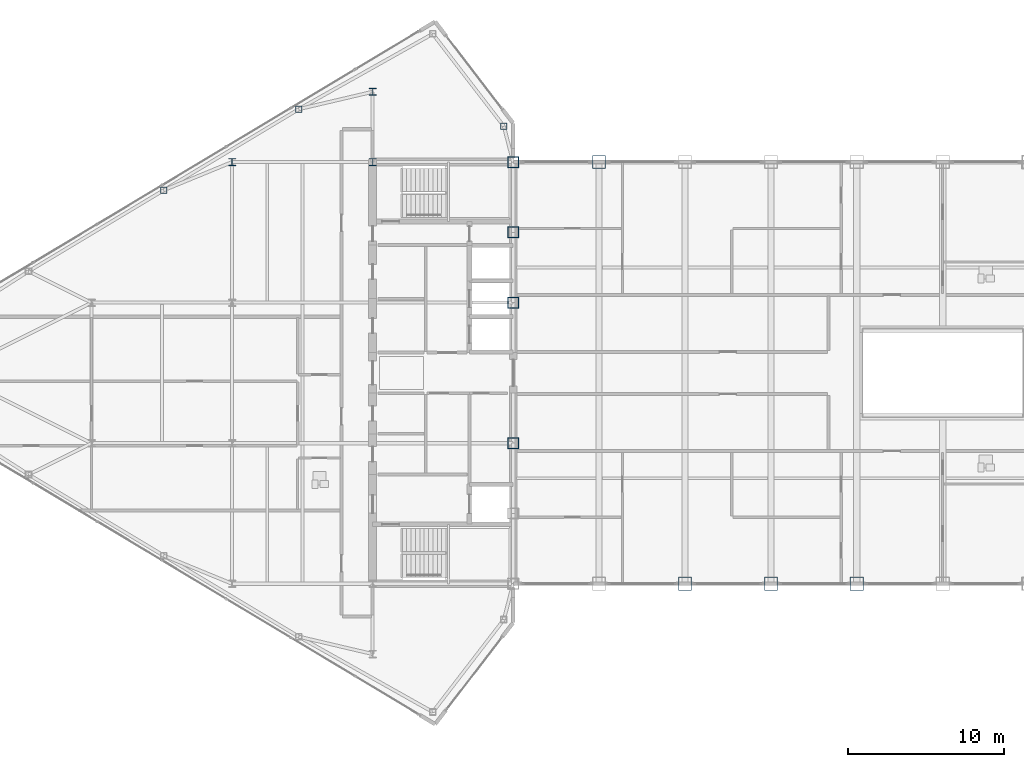
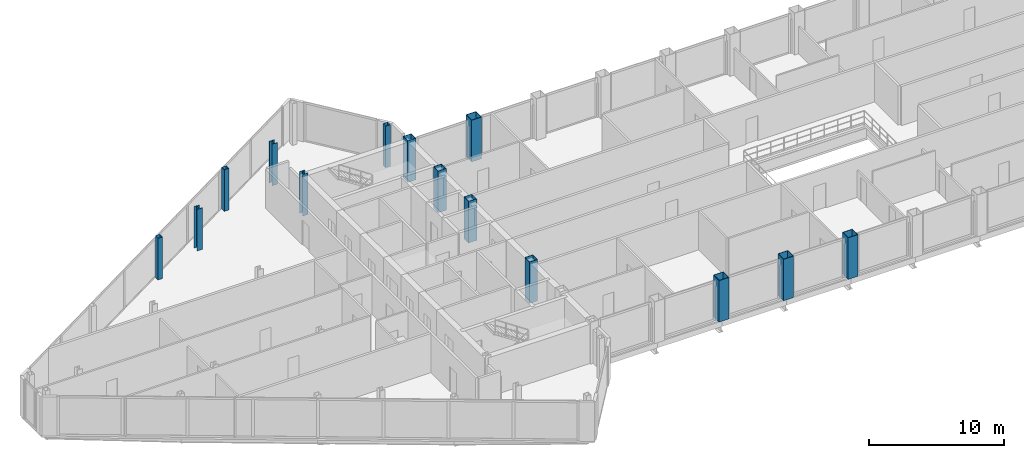
# One storey, part 2 of 29: 14 columns.
"""IFC4 building model written with IfcOpenShell, lengths in metres."""

from ifc_helpers import new_model, si_unit, direction, frame, origin, origin_2d, place, context, subcontext, project, spatial, hollow_rectangle, i_section, extrude, source, transform, mapped, material, material_profile, profile_set, type_object, type_shapes, element, save


model = new_model("IFC4")

# Units and contexts
model_context = context("Model", 3, precision=1e-05, world=origin(), true_north=direction((0.0, 1.0)))
body_context = subcontext(model_context, "Body", "Model", "MODEL_VIEW")
ifc_project = project(units=[si_unit("LENGTHUNIT", "METRE"), si_unit("AREAUNIT", "SQUARE_METRE"), si_unit("VOLUMEUNIT", "CUBIC_METRE"), si_unit("PLANEANGLEUNIT", "RADIAN"), si_unit("MASSUNIT", "GRAM", prefix="KILO")], contexts=[model_context])

# Site, building, storey
site_placement = place(None, origin())
site = spatial("IfcSite", under=ifc_project, at=site_placement, CompositionType="ELEMENT")
building_placement = place(site_placement, origin())
building = spatial("IfcBuilding", under=site, at=building_placement, Name="Seokmaru Belvedere", CompositionType="ELEMENT")
storey_placement = place(building_placement, frame((0.0, 0.0, 243.14990234375)))
storey = spatial("IfcBuildingStorey", under=building, at=storey_placement, Name="L64", CompositionType="ELEMENT", Elevation=243.14990234375)

# Columns
ifc_material_1 = material(Name="Steel SM355 (355 MPa)", Category="steel")
ifc_material_profile_1 = material_profile(ifc_material_1, hollow_rectangle(XDim=0.699951171875, YDim=0.699951171875, WallThickness=0.030029296875, at=origin_2d()), Name="BOX-700x700x30")
ifc_profile_set_1 = profile_set([ifc_material_profile_1], Name="Steel SM355 (355 MPa)")
column_type_1 = type_object("IfcColumnType", Name="Upper Spine Column BOX-700", PredefinedType="COLUMN", material=ifc_profile_set_1)
shared_shape_1 = source(origin(), body_context, "Body", "SweptSolid", [
    extrude(hollow_rectangle(XDim=0.699951171875, YDim=0.699951171875, WallThickness=0.030029296875, at=origin_2d()), origin(), (0.0, 0.0, 1.0), 3.75),
])
type_shapes(column_type_1, [shared_shape_1])
for number, where, z_axis, x_axis, name in (
    (1, (-27.5, -4.5, 0.0), (0.0, 0.0, 1.0), (1.0, 0.0, 0.0), "L64 Column WS3"),
    (2, (-27.5, 4.5, 0.0), (0.0, 0.0, 1.0), (1.0, 0.0, 0.0), "L64 Column WS4"),
    (3, (-27.5, 9.0, 0.0), (0.0, 0.0, 1.0), (1.0, 0.0, 0.0), "L64 Column WS5"),
    (4, (-27.5, 13.5, 0.0), (0.0, 0.0, 1.0), (1.0, 0.0, 0.0), "L64 Column WS6"),
):
    element("IfcColumn", number, at=place(storey_placement, frame(where, z_axis=z_axis, x_axis=x_axis)), inside=storey, type_object=column_type_1, Name=name, PredefinedType="COLUMN", context=body_context, shape_type="MappedRepresentation", body=[
        mapped(shared_shape_1, transform((0.0, 0.0, 0.0), scale=1.0)),
    ])
ifc_material_profile_2 = material_profile(ifc_material_1, i_section(OverallWidth=0.449951171875, OverallDepth=0.449951171875, WebThickness=0.01611328125, FlangeThickness=0.02490234375, at=origin_2d()), Name="H-450x450x16x25")
ifc_profile_set_2 = profile_set([ifc_material_profile_2], Name="Steel SM355 (355 MPa)")
column_type_2 = type_object("IfcColumnType", Name="Sky-Gate Column H-450", PredefinedType="COLUMN", material=ifc_profile_set_2)
shared_shape_2 = source(origin(), body_context, "Body", "SweptSolid", [
    extrude(i_section(OverallWidth=0.449951171875, OverallDepth=0.449951171875, WebThickness=0.01611328125, FlangeThickness=0.02490234375, at=origin_2d()), origin(), (0.0, 0.0, 1.0), 3.75),
])
type_shapes(column_type_2, [shared_shape_2])
for number, where, z_axis, x_axis, name in (
    (5, (-36.5, 13.5, 0.0), (0.0, 0.0, 1.0), (1.0, 0.0, 0.0), "L64 Column WC3"),
    (6, (-36.5, 18.0, 0.0), (0.0, 0.0, 1.0), (1.0, 0.0, 0.0), "L64 Column WC4"),
    (7, (-45.5, 13.5, 0.0), (0.0, 0.0, 1.0), (1.0, 0.0, 0.0), "L64 Column WG5_4"),
):
    element("IfcColumn", number, at=place(storey_placement, frame(where, z_axis=z_axis, x_axis=x_axis)), inside=storey, type_object=column_type_2, Name=name, PredefinedType="COLUMN", context=body_context, shape_type="MappedRepresentation", body=[
        mapped(shared_shape_2, transform((0.0, 0.0, 0.0), scale=1.0)),
    ])
ifc_material_profile_3 = material_profile(ifc_material_1, hollow_rectangle(XDim=0.39990234375, YDim=0.39990234375, WallThickness=0.01611328125, at=origin_2d()), Name="HSS-400x400x16")
ifc_profile_set_3 = profile_set([ifc_material_profile_3], Name="Steel SM355 (355 MPa)")
column_type_3 = type_object("IfcColumnType", Name="Perimeter Facet Column HSS-400", PredefinedType="COLUMN", material=ifc_profile_set_3)
shared_shape_3 = source(origin(), body_context, "Body", "SweptSolid", [
    extrude(hollow_rectangle(XDim=0.39990234375, YDim=0.39990234375, WallThickness=0.01611328125, at=origin_2d()), origin(), (0.0, 0.0, 1.0), 3.75),
])
type_shapes(column_type_3, [shared_shape_3])
for number, where, z_axis, x_axis, name in (
    (8, (-28.10009765625, 15.7958984375, 0.0), (0.0, 0.0, 1.0), (1.0, 0.0, 0.0), "L64 Column WF2"),
    (9, (-41.229736328125, 16.888916015625, 0.0), (0.0, 0.0, 1.0), (1.0, 0.0, 0.0), "L64 Column WFLK_N1"),
    (10, (-49.8798828125, 11.698974609375, 0.0), (0.0, 0.0, 1.0), (1.0, 0.0, 0.0), "L64 Column WFLK_N2"),
):
    element("IfcColumn", number, at=place(storey_placement, frame(where, z_axis=z_axis, x_axis=x_axis)), inside=storey, type_object=column_type_3, Name=name, PredefinedType="COLUMN", context=body_context, shape_type="MappedRepresentation", body=[
        mapped(shared_shape_3, transform((0.0, 0.0, 0.0), scale=1.0)),
    ])
ifc_material_2 = material(Name="Steel HSA650 (650 MPa)", Category="steel")
ifc_material_profile_4 = material_profile(ifc_material_2, hollow_rectangle(XDim=0.85009765625, YDim=0.85009765625, WallThickness=0.035888671875, at=origin_2d()), Name="BOX-850x850x36")
ifc_profile_set_4 = profile_set([ifc_material_profile_4], Name="Steel HSA650 (650 MPa)")
column_type_4 = type_object("IfcColumnType", Name="Portal Spine Column BOX-850", PredefinedType="COLUMN", material=ifc_profile_set_4)
shared_shape_4 = source(origin(), body_context, "Body", "SweptSolid", [
    extrude(hollow_rectangle(XDim=0.85009765625, YDim=0.85009765625, WallThickness=0.035888671875, at=origin_2d()), origin(), (0.0, 0.0, 1.0), 3.75),
])
type_shapes(column_type_4, [shared_shape_4])
for number, where, z_axis, x_axis, name in (
    (11, (-22.0, 13.5, 0.0), (0.0, 0.0, 1.0), (1.0, 0.0, 0.0), "L64 Column BRN_1"),
    (12, (-16.5, -13.5, 0.0), (0.0, 0.0, 1.0), (1.0, 0.0, 0.0), "L64 Column BRS_2"),
    (13, (-11.0, -13.5, 0.0), (0.0, 0.0, 1.0), (1.0, 0.0, 0.0), "L64 Column BRS_3"),
    (14, (-5.5, -13.5, 0.0), (0.0, 0.0, 1.0), (1.0, 0.0, 0.0), "L64 Column BRS_4"),
):
    element("IfcColumn", number, at=place(storey_placement, frame(where, z_axis=z_axis, x_axis=x_axis)), inside=storey, type_object=column_type_4, Name=name, PredefinedType="COLUMN", context=body_context, shape_type="MappedRepresentation", body=[
        mapped(shared_shape_4, transform((0.0, 0.0, 0.0), scale=1.0)),
    ])

save(model, "model.ifc")
